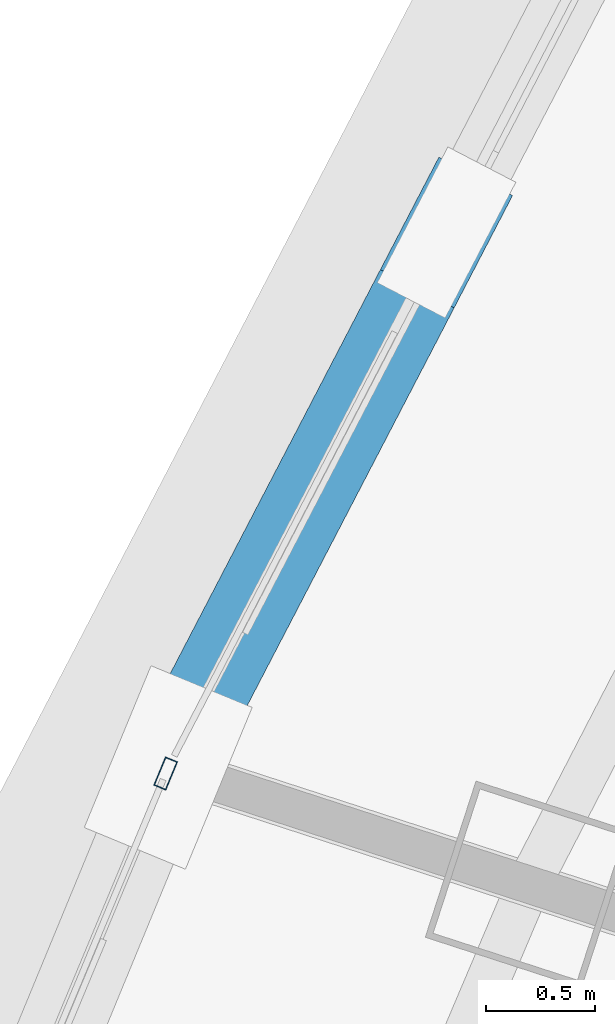
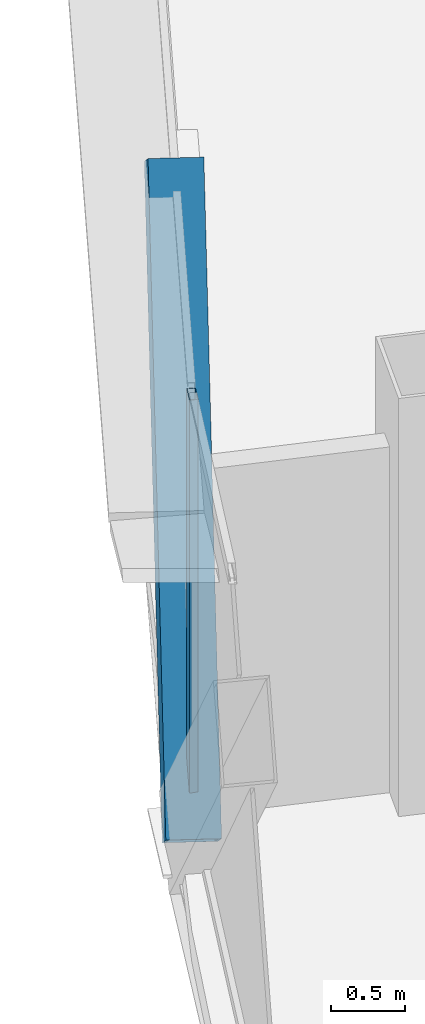
# One storey, part 8 of 35: 2 members, 1 element without a shape of its own.
"""IFC4 building model written with IfcOpenShell, lengths in metres."""

from ifc_helpers import new_model, si_unit, direction, frame, origin, origin_2d, place, context, subcontext, project, spatial, hollow_rectangle, extrude, source, transform, mapped, material, layer, layer_set, material_profile, profile_set, type_object, element, aggregate, save


model = new_model("IFC4")

# Units and contexts
model_context = context("Model", 3, precision=1e-05, world=origin(), true_north=direction((0.0, 1.0)))
body_context = subcontext(model_context, "Body", "Model", "MODEL_VIEW")
ifc_project = project(units=[si_unit("LENGTHUNIT", "METRE"), si_unit("AREAUNIT", "SQUARE_METRE"), si_unit("VOLUMEUNIT", "CUBIC_METRE"), si_unit("PLANEANGLEUNIT", "RADIAN"), si_unit("MASSUNIT", "GRAM", prefix="KILO"), si_unit("THERMODYNAMICTEMPERATUREUNIT", "KELVIN"), si_unit("POWERUNIT", "WATT")], contexts=[model_context])

# Site, building, storey
site_placement = place(None, origin())
site = spatial("IfcSite", under=ifc_project, at=site_placement, CompositionType="ELEMENT")
building_placement = place(site_placement, origin())
building = spatial("IfcBuilding", under=site, at=building_placement, Name="Yunzhuo Pagoda Commons", CompositionType="ELEMENT")
storey_placement = place(building_placement, frame((0.0, 0.0, 303.669921875)))
storey = spatial("IfcBuildingStorey", under=building, at=storey_placement, Name="L76", CompositionType="ELEMENT", Elevation=303.669921875)

# Member
ifc_material_1 = material(Name="Structural steel Q355B", Category="steel")
ifc_material_profile_1 = material_profile(ifc_material_1, hollow_rectangle(XDim=0.3798828125, YDim=0.719970703125, WallThickness=0.02001953125, at=origin_2d()), Name="Structural steel Q355B")
ifc_profile_set_1 = profile_set([ifc_material_profile_1], Name="Structural steel Q355B")
member_type_1 = type_object("IfcMemberType", Name="M-DL3 Brace BOX 720x380x20", PredefinedType="BRACE", material=ifc_profile_set_1)
shared_shape_1 = source(origin(), body_context, "Body", "SweptSolid", [
    extrude(hollow_rectangle(XDim=0.3798828125, YDim=0.719970703125, WallThickness=0.02001953125, at=origin_2d()), origin(), (0.0, 0.0, 1.0), 4.637451171875),
])
member_1_placement = place(storey_placement, frame((23.050048828125, 41.806640625, -0.260009765625), z_axis=(0.274229639101, 0.527137910601, 0.804315689419), x_axis=(-0.887135553704, 0.461508948292, 0.0)))
element("IfcMember", 1, at=member_1_placement, inside=storey, type_object=member_type_1, Name="L76 facade diamond brace F3.2R", PredefinedType="BRACE", context=body_context, shape_type="MappedRepresentation", body=[
    mapped(shared_shape_1, transform((0.0, 0.0, 0.0), scale=1.0)),
])

# Curtain wall, member
ifc_material_2 = material(Name="Anodized aluminium 6063-T6", Category="aluminium")
ifc_layer = layer(ifc_material_2, 0.139892578125)
ifc_layer_set = layer_set([ifc_layer], Name="Anodized aluminium 6063-T6")
curtain_wall_type = type_object("IfcCurtainWallType", Name="CW-HI High-Zone Ribbon Curtain Wall", PredefinedType="NOTDEFINED", material=ifc_layer_set)
curtain_wall_placement = place(storey_placement, origin())
curtain_wall = element("IfcCurtainWall", 2, at=curtain_wall_placement, inside=storey, type_object=curtain_wall_type, Name="L76 curtain wall CW-L76-F3B4", PredefinedType="NOTDEFINED")
ifc_material_profile_2 = material_profile(ifc_material_2, hollow_rectangle(XDim=0.06005859375, YDim=0.139892578125, WallThickness=0.00341796875, at=origin_2d()), Name="Anodized aluminium 6063-T6")
ifc_profile_set_2 = profile_set([ifc_material_profile_2], Name="Anodized aluminium 6063-T6")
member_type_2 = type_object("IfcMemberType", Name="CW-HI-M Mullion RHS 140x60x3.5", PredefinedType="MULLION", material=ifc_profile_set_2)
shared_shape_2 = source(origin(), body_context, "Body", "SweptSolid", [
    extrude(hollow_rectangle(XDim=0.06005859375, YDim=0.139892578125, WallThickness=0.00341796875, at=origin_2d()), origin(), (0.0, 0.0, 1.0), 3.469970703125),
])
member_2_placement = place(storey_placement, frame((23.038330078125, 41.779052734375, 0.0), z_axis=(0.0, 0.0, 1.0), x_axis=(0.922876210298, -0.385096741697, 0.0)))
member_2 = element("IfcMember", 3, at=member_2_placement, type_object=member_type_2, Name="CW mullion 1", PredefinedType="MULLION", context=body_context, shape_type="MappedRepresentation", body=[
    mapped(shared_shape_2, transform((0.0, 0.0, 0.0), scale=1.0)),
])
aggregate(curtain_wall, [member_2])

save(model, "model.ifc")
